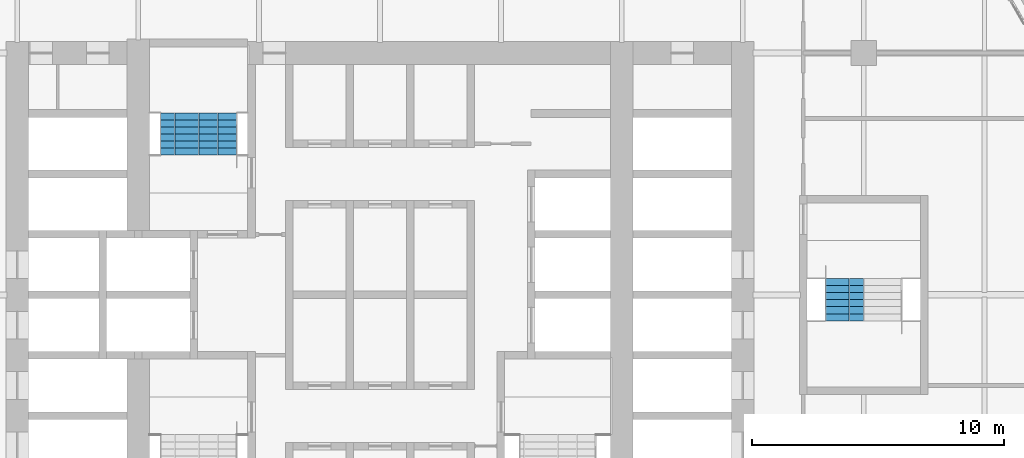
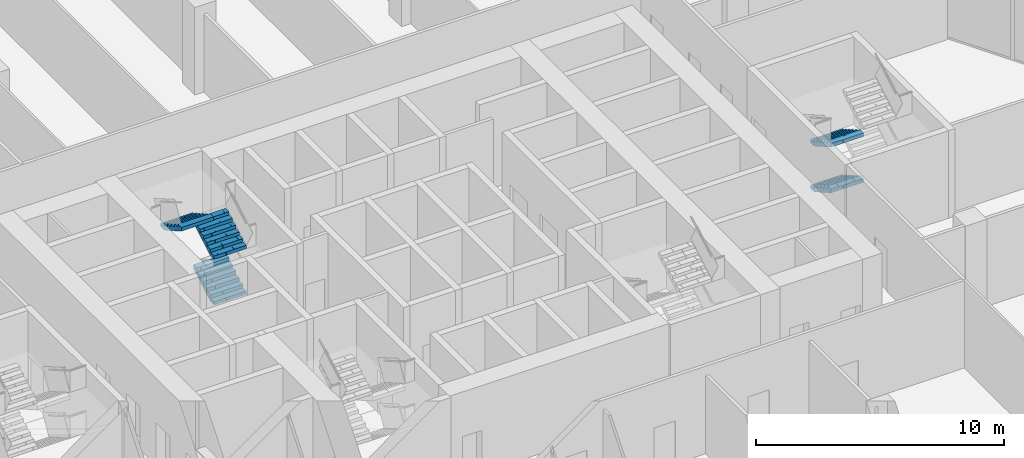
# One storey, part 23 of 27: 5 stair flights, 2 elements without a shape of their own.
"""IFC4 building model written with IfcOpenShell, lengths in metres."""

from ifc_helpers import new_model, si_unit, direction, frame, origin, place, context, subcontext, project, spatial, polyline, outline, extrude, material, type_object, element, aggregate, save


model = new_model("IFC4")

# Units and contexts
model_context = context("Model", 3, precision=1e-05, world=origin(), true_north=direction((0.0, 1.0)))
body_context = subcontext(model_context, "Body", "Model", "MODEL_VIEW")
ifc_project = project(units=[si_unit("LENGTHUNIT", "METRE"), si_unit("AREAUNIT", "SQUARE_METRE"), si_unit("VOLUMEUNIT", "CUBIC_METRE"), si_unit("PLANEANGLEUNIT", "RADIAN"), si_unit("MASSUNIT", "GRAM", prefix="KILO")], contexts=[model_context])

# Site, building, storey
site_placement = place(None, origin())
site = spatial("IfcSite", under=ifc_project, at=site_placement, CompositionType="ELEMENT")
building_placement = place(site_placement, origin())
building = spatial("IfcBuilding", under=site, at=building_placement, Name="Kolab Exchange Tower", CompositionType="ELEMENT")
storey_placement = place(building_placement, frame((0.0, 0.0, 109.39990234375)))
storey = spatial("IfcBuildingStorey", under=building, at=storey_placement, Name="L21", CompositionType="ELEMENT", Elevation=109.39990234375)

# Stair, stair flights
ifc_material = material(Name="Concrete C50/60", Category="concrete")
stair_type_1 = type_object("IfcStairType", Name="STAIR ST1 RISER 160.7", PredefinedType="DOUBLE_RETURN_STAIR", material=ifc_material)
stair_1_placement = place(storey_placement, origin())
stair_1 = element("IfcStair", 1, at=stair_1_placement, inside=storey, type_object=stair_type_1, Name="Stair 1", PredefinedType="DOUBLE_RETURN_STAIR")
stair_flight_type = type_object("IfcStairFlightType", Name="STAIR FLIGHT 1500 RISER 160.7", PredefinedType="STRAIGHT", material=ifc_material)
stair_flight_1_placement = place(storey_placement, frame((-6.43994140625, 5.550048828125, 0.0), z_axis=(0.0, 0.0, 1.0), x_axis=(0.0, 1.0, 0.0)))
stair_flight_1 = element("IfcStairFlight", 2, at=stair_flight_1_placement, type_object=stair_flight_type, Name="ST1 flight 1", NumberOfRisers=7, NumberOfTreads=6, PredefinedType="STRAIGHT", RiserHeight=0.160714286, TreadLength=0.28, context=body_context, shape_type="SweptSolid", body=[
    extrude(outline(polyline([(0.0, 0.0), (0.0, 0.16064453125), (0.280029296875, 0.16064453125), (0.280029296875, 0.321533203125), (0.56005859375, 0.321533203125), (0.56005859375, 0.482177734375), (0.840087890625, 0.482177734375), (0.840087890625, 0.642822265625), (1.1201171875, 0.642822265625), (1.1201171875, 0.803466796875), (1.39990234375, 0.803466796875), (1.39990234375, 0.96435546875), (1.679931640625, 0.96435546875), (1.679931640625, 1.125), (1.679931640625, 0.79150390625), (0.301025390625, 0.0), (0.0, 0.0)])), frame((0.0, 0.75, 0.0), z_axis=(0.0, -1.0, 0.0), x_axis=(1.0, 0.0, 0.0)), (0.0, 0.0, 1.0), 0.185791015625),
    extrude(outline(polyline([(0.0, 0.0), (0.0, 0.16064453125), (0.280029296875, 0.16064453125), (0.280029296875, 0.321533203125), (0.56005859375, 0.321533203125), (0.56005859375, 0.482177734375), (0.840087890625, 0.482177734375), (0.840087890625, 0.642822265625), (1.1201171875, 0.642822265625), (1.1201171875, 0.803466796875), (1.39990234375, 0.803466796875), (1.39990234375, 0.96435546875), (1.679931640625, 0.96435546875), (1.679931640625, 1.125), (1.679931640625, 0.79150390625), (0.301025390625, 0.0), (0.0, 0.0)])), frame((0.0, 0.562255859375, 0.0), z_axis=(0.0, -1.0, 0.0), x_axis=(1.0, 0.0, 0.0)), (0.0, 0.0, 1.0), 0.185791015625),
    extrude(outline(polyline([(0.0, 0.0), (0.0, 0.16064453125), (0.280029296875, 0.16064453125), (0.280029296875, 0.321533203125), (0.56005859375, 0.321533203125), (0.56005859375, 0.482177734375), (0.840087890625, 0.482177734375), (0.840087890625, 0.642822265625), (1.1201171875, 0.642822265625), (1.1201171875, 0.803466796875), (1.39990234375, 0.803466796875), (1.39990234375, 0.96435546875), (1.679931640625, 0.96435546875), (1.679931640625, 1.125), (1.679931640625, 0.79150390625), (0.301025390625, 0.0), (0.0, 0.0)])), frame((0.0, 0.37451171875, 0.0), z_axis=(0.0, -1.0, 0.0), x_axis=(1.0, 0.0, 0.0)), (0.0, 0.0, 1.0), 0.185791015625),
    extrude(outline(polyline([(0.0, 0.0), (0.0, 0.16064453125), (0.280029296875, 0.16064453125), (0.280029296875, 0.321533203125), (0.56005859375, 0.321533203125), (0.56005859375, 0.482177734375), (0.840087890625, 0.482177734375), (0.840087890625, 0.642822265625), (1.1201171875, 0.642822265625), (1.1201171875, 0.803466796875), (1.39990234375, 0.803466796875), (1.39990234375, 0.96435546875), (1.679931640625, 0.96435546875), (1.679931640625, 1.125), (1.679931640625, 0.79150390625), (0.301025390625, 0.0), (0.0, 0.0)])), frame((0.0, 0.186767578125, 0.0), z_axis=(0.0, -1.0, 0.0), x_axis=(1.0, 0.0, 0.0)), (0.0, 0.0, 1.0), 0.185791015625),
    extrude(outline(polyline([(0.0, 0.0), (0.0, 0.16064453125), (0.280029296875, 0.16064453125), (0.280029296875, 0.321533203125), (0.56005859375, 0.321533203125), (0.56005859375, 0.482177734375), (0.840087890625, 0.482177734375), (0.840087890625, 0.642822265625), (1.1201171875, 0.642822265625), (1.1201171875, 0.803466796875), (1.39990234375, 0.803466796875), (1.39990234375, 0.96435546875), (1.679931640625, 0.96435546875), (1.679931640625, 1.125), (1.679931640625, 0.79150390625), (0.301025390625, 0.0), (0.0, 0.0)])), frame((0.0, -0.0009765625, 0.0), z_axis=(0.0, -1.0, 0.0), x_axis=(1.0, 0.0, 0.0)), (0.0, 0.0, 1.0), 0.185791015625),
    extrude(outline(polyline([(0.0, 0.0), (0.0, 0.16064453125), (0.280029296875, 0.16064453125), (0.280029296875, 0.321533203125), (0.56005859375, 0.321533203125), (0.56005859375, 0.482177734375), (0.840087890625, 0.482177734375), (0.840087890625, 0.642822265625), (1.1201171875, 0.642822265625), (1.1201171875, 0.803466796875), (1.39990234375, 0.803466796875), (1.39990234375, 0.96435546875), (1.679931640625, 0.96435546875), (1.679931640625, 1.125), (1.679931640625, 0.79150390625), (0.301025390625, 0.0), (0.0, 0.0)])), frame((0.0, -0.188720703125, 0.0), z_axis=(0.0, -1.0, 0.0), x_axis=(1.0, 0.0, 0.0)), (0.0, 0.0, 1.0), 0.185791015625),
    extrude(outline(polyline([(0.0, 0.0), (0.0, 0.16064453125), (0.280029296875, 0.16064453125), (0.280029296875, 0.321533203125), (0.56005859375, 0.321533203125), (0.56005859375, 0.482177734375), (0.840087890625, 0.482177734375), (0.840087890625, 0.642822265625), (1.1201171875, 0.642822265625), (1.1201171875, 0.803466796875), (1.39990234375, 0.803466796875), (1.39990234375, 0.96435546875), (1.679931640625, 0.96435546875), (1.679931640625, 1.125), (1.679931640625, 0.79150390625), (0.301025390625, 0.0), (0.0, 0.0)])), frame((0.0, -0.37646484375, 0.0), z_axis=(0.0, -1.0, 0.0), x_axis=(1.0, 0.0, 0.0)), (0.0, 0.0, 1.0), 0.185791015625),
    extrude(outline(polyline([(0.0, 0.0), (0.0, 0.16064453125), (0.280029296875, 0.16064453125), (0.280029296875, 0.321533203125), (0.56005859375, 0.321533203125), (0.56005859375, 0.482177734375), (0.840087890625, 0.482177734375), (0.840087890625, 0.642822265625), (1.1201171875, 0.642822265625), (1.1201171875, 0.803466796875), (1.39990234375, 0.803466796875), (1.39990234375, 0.96435546875), (1.679931640625, 0.96435546875), (1.679931640625, 1.125), (1.679931640625, 0.79150390625), (0.301025390625, 0.0), (0.0, 0.0)])), frame((0.0, -0.564208984375, 0.0), z_axis=(0.0, -1.0, 0.0), x_axis=(1.0, 0.0, 0.0)), (0.0, 0.0, 1.0), 0.185791015625),
])
stair_flight_2_placement = place(storey_placement, frame((-6.43994140625, 5.550048828125, 2.25), z_axis=(0.0, 0.0, 1.0), x_axis=(0.0, 1.0, 0.0)))
stair_flight_2 = element("IfcStairFlight", 3, at=stair_flight_2_placement, type_object=stair_flight_type, Name="ST1 flight 3", NumberOfRisers=7, NumberOfTreads=6, PredefinedType="STRAIGHT", RiserHeight=0.160714286, TreadLength=0.28, context=body_context, shape_type="SweptSolid", body=[
    extrude(outline(polyline([(0.0, 0.0), (0.0, 0.16064453125), (0.280029296875, 0.16064453125), (0.280029296875, 0.321533203125), (0.56005859375, 0.321533203125), (0.56005859375, 0.482177734375), (0.840087890625, 0.482177734375), (0.840087890625, 0.642822265625), (1.1201171875, 0.642822265625), (1.1201171875, 0.803466796875), (1.39990234375, 0.803466796875), (1.39990234375, 0.96435546875), (1.679931640625, 0.96435546875), (1.679931640625, 1.125), (1.679931640625, 0.79150390625), (0.301025390625, 0.0), (0.0, 0.0)])), frame((0.0, 0.75, 0.0), z_axis=(0.0, -1.0, 0.0), x_axis=(1.0, 0.0, 0.0)), (0.0, 0.0, 1.0), 0.185791015625),
    extrude(outline(polyline([(0.0, 0.0), (0.0, 0.16064453125), (0.280029296875, 0.16064453125), (0.280029296875, 0.321533203125), (0.56005859375, 0.321533203125), (0.56005859375, 0.482177734375), (0.840087890625, 0.482177734375), (0.840087890625, 0.642822265625), (1.1201171875, 0.642822265625), (1.1201171875, 0.803466796875), (1.39990234375, 0.803466796875), (1.39990234375, 0.96435546875), (1.679931640625, 0.96435546875), (1.679931640625, 1.125), (1.679931640625, 0.79150390625), (0.301025390625, 0.0), (0.0, 0.0)])), frame((0.0, 0.562255859375, 0.0), z_axis=(0.0, -1.0, 0.0), x_axis=(1.0, 0.0, 0.0)), (0.0, 0.0, 1.0), 0.185791015625),
    extrude(outline(polyline([(0.0, 0.0), (0.0, 0.16064453125), (0.280029296875, 0.16064453125), (0.280029296875, 0.321533203125), (0.56005859375, 0.321533203125), (0.56005859375, 0.482177734375), (0.840087890625, 0.482177734375), (0.840087890625, 0.642822265625), (1.1201171875, 0.642822265625), (1.1201171875, 0.803466796875), (1.39990234375, 0.803466796875), (1.39990234375, 0.96435546875), (1.679931640625, 0.96435546875), (1.679931640625, 1.125), (1.679931640625, 0.79150390625), (0.301025390625, 0.0), (0.0, 0.0)])), frame((0.0, 0.37451171875, 0.0), z_axis=(0.0, -1.0, 0.0), x_axis=(1.0, 0.0, 0.0)), (0.0, 0.0, 1.0), 0.185791015625),
    extrude(outline(polyline([(0.0, 0.0), (0.0, 0.16064453125), (0.280029296875, 0.16064453125), (0.280029296875, 0.321533203125), (0.56005859375, 0.321533203125), (0.56005859375, 0.482177734375), (0.840087890625, 0.482177734375), (0.840087890625, 0.642822265625), (1.1201171875, 0.642822265625), (1.1201171875, 0.803466796875), (1.39990234375, 0.803466796875), (1.39990234375, 0.96435546875), (1.679931640625, 0.96435546875), (1.679931640625, 1.125), (1.679931640625, 0.79150390625), (0.301025390625, 0.0), (0.0, 0.0)])), frame((0.0, 0.186767578125, 0.0), z_axis=(0.0, -1.0, 0.0), x_axis=(1.0, 0.0, 0.0)), (0.0, 0.0, 1.0), 0.185791015625),
    extrude(outline(polyline([(0.0, 0.0), (0.0, 0.16064453125), (0.280029296875, 0.16064453125), (0.280029296875, 0.321533203125), (0.56005859375, 0.321533203125), (0.56005859375, 0.482177734375), (0.840087890625, 0.482177734375), (0.840087890625, 0.642822265625), (1.1201171875, 0.642822265625), (1.1201171875, 0.803466796875), (1.39990234375, 0.803466796875), (1.39990234375, 0.96435546875), (1.679931640625, 0.96435546875), (1.679931640625, 1.125), (1.679931640625, 0.79150390625), (0.301025390625, 0.0), (0.0, 0.0)])), frame((0.0, -0.0009765625, 0.0), z_axis=(0.0, -1.0, 0.0), x_axis=(1.0, 0.0, 0.0)), (0.0, 0.0, 1.0), 0.185791015625),
    extrude(outline(polyline([(0.0, 0.0), (0.0, 0.16064453125), (0.280029296875, 0.16064453125), (0.280029296875, 0.321533203125), (0.56005859375, 0.321533203125), (0.56005859375, 0.482177734375), (0.840087890625, 0.482177734375), (0.840087890625, 0.642822265625), (1.1201171875, 0.642822265625), (1.1201171875, 0.803466796875), (1.39990234375, 0.803466796875), (1.39990234375, 0.96435546875), (1.679931640625, 0.96435546875), (1.679931640625, 1.125), (1.679931640625, 0.79150390625), (0.301025390625, 0.0), (0.0, 0.0)])), frame((0.0, -0.188720703125, 0.0), z_axis=(0.0, -1.0, 0.0), x_axis=(1.0, 0.0, 0.0)), (0.0, 0.0, 1.0), 0.185791015625),
    extrude(outline(polyline([(0.0, 0.0), (0.0, 0.16064453125), (0.280029296875, 0.16064453125), (0.280029296875, 0.321533203125), (0.56005859375, 0.321533203125), (0.56005859375, 0.482177734375), (0.840087890625, 0.482177734375), (0.840087890625, 0.642822265625), (1.1201171875, 0.642822265625), (1.1201171875, 0.803466796875), (1.39990234375, 0.803466796875), (1.39990234375, 0.96435546875), (1.679931640625, 0.96435546875), (1.679931640625, 1.125), (1.679931640625, 0.79150390625), (0.301025390625, 0.0), (0.0, 0.0)])), frame((0.0, -0.37646484375, 0.0), z_axis=(0.0, -1.0, 0.0), x_axis=(1.0, 0.0, 0.0)), (0.0, 0.0, 1.0), 0.185791015625),
    extrude(outline(polyline([(0.0, 0.0), (0.0, 0.16064453125), (0.280029296875, 0.16064453125), (0.280029296875, 0.321533203125), (0.56005859375, 0.321533203125), (0.56005859375, 0.482177734375), (0.840087890625, 0.482177734375), (0.840087890625, 0.642822265625), (1.1201171875, 0.642822265625), (1.1201171875, 0.803466796875), (1.39990234375, 0.803466796875), (1.39990234375, 0.96435546875), (1.679931640625, 0.96435546875), (1.679931640625, 1.125), (1.679931640625, 0.79150390625), (0.301025390625, 0.0), (0.0, 0.0)])), frame((0.0, -0.564208984375, 0.0), z_axis=(0.0, -1.0, 0.0), x_axis=(1.0, 0.0, 0.0)), (0.0, 0.0, 1.0), 0.185791015625),
])
stair_flight_3_placement = place(storey_placement, frame((-7.9599609375, 7.22998046875, 3.375), z_axis=(0.0, 0.0, 1.0), x_axis=(0.0, -1.0, 0.0)))
stair_flight_3 = element("IfcStairFlight", 4, at=stair_flight_3_placement, type_object=stair_flight_type, Name="ST1 flight 4", NumberOfRisers=7, NumberOfTreads=6, PredefinedType="STRAIGHT", RiserHeight=0.160714286, TreadLength=0.28, context=body_context, shape_type="SweptSolid", body=[
    extrude(outline(polyline([(0.0, 0.0), (0.0, 0.16064453125), (0.280029296875, 0.16064453125), (0.280029296875, 0.321533203125), (0.56005859375, 0.321533203125), (0.56005859375, 0.482177734375), (0.840087890625, 0.482177734375), (0.840087890625, 0.642822265625), (1.1201171875, 0.642822265625), (1.1201171875, 0.803466796875), (1.39990234375, 0.803466796875), (1.39990234375, 0.96435546875), (1.679931640625, 0.96435546875), (1.679931640625, 1.125), (1.679931640625, 0.79150390625), (0.301025390625, 0.0), (0.0, 0.0)])), frame((0.0, 0.75, 0.0), z_axis=(0.0, -1.0, 0.0), x_axis=(1.0, 0.0, 0.0)), (0.0, 0.0, 1.0), 0.185791015625),
    extrude(outline(polyline([(0.0, 0.0), (0.0, 0.16064453125), (0.280029296875, 0.16064453125), (0.280029296875, 0.321533203125), (0.56005859375, 0.321533203125), (0.56005859375, 0.482177734375), (0.840087890625, 0.482177734375), (0.840087890625, 0.642822265625), (1.1201171875, 0.642822265625), (1.1201171875, 0.803466796875), (1.39990234375, 0.803466796875), (1.39990234375, 0.96435546875), (1.679931640625, 0.96435546875), (1.679931640625, 1.125), (1.679931640625, 0.79150390625), (0.301025390625, 0.0), (0.0, 0.0)])), frame((0.0, 0.562255859375, 0.0), z_axis=(0.0, -1.0, 0.0), x_axis=(1.0, 0.0, 0.0)), (0.0, 0.0, 1.0), 0.185791015625),
    extrude(outline(polyline([(0.0, 0.0), (0.0, 0.16064453125), (0.280029296875, 0.16064453125), (0.280029296875, 0.321533203125), (0.56005859375, 0.321533203125), (0.56005859375, 0.482177734375), (0.840087890625, 0.482177734375), (0.840087890625, 0.642822265625), (1.1201171875, 0.642822265625), (1.1201171875, 0.803466796875), (1.39990234375, 0.803466796875), (1.39990234375, 0.96435546875), (1.679931640625, 0.96435546875), (1.679931640625, 1.125), (1.679931640625, 0.79150390625), (0.301025390625, 0.0), (0.0, 0.0)])), frame((0.0, 0.37451171875, 0.0), z_axis=(0.0, -1.0, 0.0), x_axis=(1.0, 0.0, 0.0)), (0.0, 0.0, 1.0), 0.185791015625),
    extrude(outline(polyline([(0.0, 0.0), (0.0, 0.16064453125), (0.280029296875, 0.16064453125), (0.280029296875, 0.321533203125), (0.56005859375, 0.321533203125), (0.56005859375, 0.482177734375), (0.840087890625, 0.482177734375), (0.840087890625, 0.642822265625), (1.1201171875, 0.642822265625), (1.1201171875, 0.803466796875), (1.39990234375, 0.803466796875), (1.39990234375, 0.96435546875), (1.679931640625, 0.96435546875), (1.679931640625, 1.125), (1.679931640625, 0.79150390625), (0.301025390625, 0.0), (0.0, 0.0)])), frame((0.0, 0.186767578125, 0.0), z_axis=(0.0, -1.0, 0.0), x_axis=(1.0, 0.0, 0.0)), (0.0, 0.0, 1.0), 0.185791015625),
    extrude(outline(polyline([(0.0, 0.0), (0.0, 0.16064453125), (0.280029296875, 0.16064453125), (0.280029296875, 0.321533203125), (0.56005859375, 0.321533203125), (0.56005859375, 0.482177734375), (0.840087890625, 0.482177734375), (0.840087890625, 0.642822265625), (1.1201171875, 0.642822265625), (1.1201171875, 0.803466796875), (1.39990234375, 0.803466796875), (1.39990234375, 0.96435546875), (1.679931640625, 0.96435546875), (1.679931640625, 1.125), (1.679931640625, 0.79150390625), (0.301025390625, 0.0), (0.0, 0.0)])), frame((0.0, -0.0009765625, 0.0), z_axis=(0.0, -1.0, 0.0), x_axis=(1.0, 0.0, 0.0)), (0.0, 0.0, 1.0), 0.185791015625),
    extrude(outline(polyline([(0.0, 0.0), (0.0, 0.16064453125), (0.280029296875, 0.16064453125), (0.280029296875, 0.321533203125), (0.56005859375, 0.321533203125), (0.56005859375, 0.482177734375), (0.840087890625, 0.482177734375), (0.840087890625, 0.642822265625), (1.1201171875, 0.642822265625), (1.1201171875, 0.803466796875), (1.39990234375, 0.803466796875), (1.39990234375, 0.96435546875), (1.679931640625, 0.96435546875), (1.679931640625, 1.125), (1.679931640625, 0.79150390625), (0.301025390625, 0.0), (0.0, 0.0)])), frame((0.0, -0.188720703125, 0.0), z_axis=(0.0, -1.0, 0.0), x_axis=(1.0, 0.0, 0.0)), (0.0, 0.0, 1.0), 0.185791015625),
    extrude(outline(polyline([(0.0, 0.0), (0.0, 0.16064453125), (0.280029296875, 0.16064453125), (0.280029296875, 0.321533203125), (0.56005859375, 0.321533203125), (0.56005859375, 0.482177734375), (0.840087890625, 0.482177734375), (0.840087890625, 0.642822265625), (1.1201171875, 0.642822265625), (1.1201171875, 0.803466796875), (1.39990234375, 0.803466796875), (1.39990234375, 0.96435546875), (1.679931640625, 0.96435546875), (1.679931640625, 1.125), (1.679931640625, 0.79150390625), (0.301025390625, 0.0), (0.0, 0.0)])), frame((0.0, -0.37646484375, 0.0), z_axis=(0.0, -1.0, 0.0), x_axis=(1.0, 0.0, 0.0)), (0.0, 0.0, 1.0), 0.185791015625),
    extrude(outline(polyline([(0.0, 0.0), (0.0, 0.16064453125), (0.280029296875, 0.16064453125), (0.280029296875, 0.321533203125), (0.56005859375, 0.321533203125), (0.56005859375, 0.482177734375), (0.840087890625, 0.482177734375), (0.840087890625, 0.642822265625), (1.1201171875, 0.642822265625), (1.1201171875, 0.803466796875), (1.39990234375, 0.803466796875), (1.39990234375, 0.96435546875), (1.679931640625, 0.96435546875), (1.679931640625, 1.125), (1.679931640625, 0.79150390625), (0.301025390625, 0.0), (0.0, 0.0)])), frame((0.0, -0.564208984375, 0.0), z_axis=(0.0, -1.0, 0.0), x_axis=(1.0, 0.0, 0.0)), (0.0, 0.0, 1.0), 0.185791015625),
])
aggregate(stair_1, [stair_flight_1, stair_flight_2, stair_flight_3])

stair_type_2 = type_object("IfcStairType", Name="STAIR ST4 RISER 160.7", PredefinedType="DOUBLE_RETURN_STAIR", material=ifc_material)
stair_2_placement = place(storey_placement, origin())
stair_2 = element("IfcStair", 5, at=stair_2_placement, inside=storey, type_object=stair_type_2, Name="Stair 4", PredefinedType="DOUBLE_RETURN_STAIR")
stair_flight_4_placement = place(storey_placement, frame((18.43994140625, 0.64990234375, 0.0), z_axis=(0.0, 0.0, 1.0), x_axis=(0.0, -1.0, 0.0)))
stair_flight_4 = element("IfcStairFlight", 6, at=stair_flight_4_placement, type_object=stair_flight_type, Name="ST4 flight 1", NumberOfRisers=7, NumberOfTreads=6, PredefinedType="STRAIGHT", RiserHeight=0.160714286, TreadLength=0.28, context=body_context, shape_type="SweptSolid", body=[
    extrude(outline(polyline([(0.0, 0.0), (0.0, 0.16064453125), (0.280029296875, 0.16064453125), (0.280029296875, 0.321533203125), (0.56005859375, 0.321533203125), (0.56005859375, 0.482177734375), (0.840087890625, 0.482177734375), (0.840087890625, 0.642822265625), (1.1201171875, 0.642822265625), (1.1201171875, 0.803466796875), (1.39990234375, 0.803466796875), (1.39990234375, 0.96435546875), (1.679931640625, 0.96435546875), (1.679931640625, 1.125), (1.679931640625, 0.79150390625), (0.301025390625, 0.0), (0.0, 0.0)])), frame((0.0, 0.75, 0.0), z_axis=(0.0, -1.0, 0.0), x_axis=(1.0, 0.0, 0.0)), (0.0, 0.0, 1.0), 0.185791015625),
    extrude(outline(polyline([(0.0, 0.0), (0.0, 0.16064453125), (0.280029296875, 0.16064453125), (0.280029296875, 0.321533203125), (0.56005859375, 0.321533203125), (0.56005859375, 0.482177734375), (0.840087890625, 0.482177734375), (0.840087890625, 0.642822265625), (1.1201171875, 0.642822265625), (1.1201171875, 0.803466796875), (1.39990234375, 0.803466796875), (1.39990234375, 0.96435546875), (1.679931640625, 0.96435546875), (1.679931640625, 1.125), (1.679931640625, 0.79150390625), (0.301025390625, 0.0), (0.0, 0.0)])), frame((0.0, 0.562255859375, 0.0), z_axis=(0.0, -1.0, 0.0), x_axis=(1.0, 0.0, 0.0)), (0.0, 0.0, 1.0), 0.185791015625),
    extrude(outline(polyline([(0.0, 0.0), (0.0, 0.16064453125), (0.280029296875, 0.16064453125), (0.280029296875, 0.321533203125), (0.56005859375, 0.321533203125), (0.56005859375, 0.482177734375), (0.840087890625, 0.482177734375), (0.840087890625, 0.642822265625), (1.1201171875, 0.642822265625), (1.1201171875, 0.803466796875), (1.39990234375, 0.803466796875), (1.39990234375, 0.96435546875), (1.679931640625, 0.96435546875), (1.679931640625, 1.125), (1.679931640625, 0.79150390625), (0.301025390625, 0.0), (0.0, 0.0)])), frame((0.0, 0.37451171875, 0.0), z_axis=(0.0, -1.0, 0.0), x_axis=(1.0, 0.0, 0.0)), (0.0, 0.0, 1.0), 0.185791015625),
    extrude(outline(polyline([(0.0, 0.0), (0.0, 0.16064453125), (0.280029296875, 0.16064453125), (0.280029296875, 0.321533203125), (0.56005859375, 0.321533203125), (0.56005859375, 0.482177734375), (0.840087890625, 0.482177734375), (0.840087890625, 0.642822265625), (1.1201171875, 0.642822265625), (1.1201171875, 0.803466796875), (1.39990234375, 0.803466796875), (1.39990234375, 0.96435546875), (1.679931640625, 0.96435546875), (1.679931640625, 1.125), (1.679931640625, 0.79150390625), (0.301025390625, 0.0), (0.0, 0.0)])), frame((0.0, 0.186767578125, 0.0), z_axis=(0.0, -1.0, 0.0), x_axis=(1.0, 0.0, 0.0)), (0.0, 0.0, 1.0), 0.185791015625),
    extrude(outline(polyline([(0.0, 0.0), (0.0, 0.16064453125), (0.280029296875, 0.16064453125), (0.280029296875, 0.321533203125), (0.56005859375, 0.321533203125), (0.56005859375, 0.482177734375), (0.840087890625, 0.482177734375), (0.840087890625, 0.642822265625), (1.1201171875, 0.642822265625), (1.1201171875, 0.803466796875), (1.39990234375, 0.803466796875), (1.39990234375, 0.96435546875), (1.679931640625, 0.96435546875), (1.679931640625, 1.125), (1.679931640625, 0.79150390625), (0.301025390625, 0.0), (0.0, 0.0)])), frame((0.0, -0.0009765625, 0.0), z_axis=(0.0, -1.0, 0.0), x_axis=(1.0, 0.0, 0.0)), (0.0, 0.0, 1.0), 0.185791015625),
    extrude(outline(polyline([(0.0, 0.0), (0.0, 0.16064453125), (0.280029296875, 0.16064453125), (0.280029296875, 0.321533203125), (0.56005859375, 0.321533203125), (0.56005859375, 0.482177734375), (0.840087890625, 0.482177734375), (0.840087890625, 0.642822265625), (1.1201171875, 0.642822265625), (1.1201171875, 0.803466796875), (1.39990234375, 0.803466796875), (1.39990234375, 0.96435546875), (1.679931640625, 0.96435546875), (1.679931640625, 1.125), (1.679931640625, 0.79150390625), (0.301025390625, 0.0), (0.0, 0.0)])), frame((0.0, -0.188720703125, 0.0), z_axis=(0.0, -1.0, 0.0), x_axis=(1.0, 0.0, 0.0)), (0.0, 0.0, 1.0), 0.185791015625),
    extrude(outline(polyline([(0.0, 0.0), (0.0, 0.16064453125), (0.280029296875, 0.16064453125), (0.280029296875, 0.321533203125), (0.56005859375, 0.321533203125), (0.56005859375, 0.482177734375), (0.840087890625, 0.482177734375), (0.840087890625, 0.642822265625), (1.1201171875, 0.642822265625), (1.1201171875, 0.803466796875), (1.39990234375, 0.803466796875), (1.39990234375, 0.96435546875), (1.679931640625, 0.96435546875), (1.679931640625, 1.125), (1.679931640625, 0.79150390625), (0.301025390625, 0.0), (0.0, 0.0)])), frame((0.0, -0.37646484375, 0.0), z_axis=(0.0, -1.0, 0.0), x_axis=(1.0, 0.0, 0.0)), (0.0, 0.0, 1.0), 0.185791015625),
    extrude(outline(polyline([(0.0, 0.0), (0.0, 0.16064453125), (0.280029296875, 0.16064453125), (0.280029296875, 0.321533203125), (0.56005859375, 0.321533203125), (0.56005859375, 0.482177734375), (0.840087890625, 0.482177734375), (0.840087890625, 0.642822265625), (1.1201171875, 0.642822265625), (1.1201171875, 0.803466796875), (1.39990234375, 0.803466796875), (1.39990234375, 0.96435546875), (1.679931640625, 0.96435546875), (1.679931640625, 1.125), (1.679931640625, 0.79150390625), (0.301025390625, 0.0), (0.0, 0.0)])), frame((0.0, -0.564208984375, 0.0), z_axis=(0.0, -1.0, 0.0), x_axis=(1.0, 0.0, 0.0)), (0.0, 0.0, 1.0), 0.185791015625),
])
stair_flight_5_placement = place(storey_placement, frame((18.43994140625, 0.64990234375, 2.25), z_axis=(0.0, 0.0, 1.0), x_axis=(0.0, -1.0, 0.0)))
stair_flight_5 = element("IfcStairFlight", 7, at=stair_flight_5_placement, type_object=stair_flight_type, Name="ST4 flight 3", NumberOfRisers=7, NumberOfTreads=6, PredefinedType="STRAIGHT", RiserHeight=0.160714286, TreadLength=0.28, context=body_context, shape_type="SweptSolid", body=[
    extrude(outline(polyline([(0.0, 0.0), (0.0, 0.16064453125), (0.280029296875, 0.16064453125), (0.280029296875, 0.321533203125), (0.56005859375, 0.321533203125), (0.56005859375, 0.482177734375), (0.840087890625, 0.482177734375), (0.840087890625, 0.642822265625), (1.1201171875, 0.642822265625), (1.1201171875, 0.803466796875), (1.39990234375, 0.803466796875), (1.39990234375, 0.96435546875), (1.679931640625, 0.96435546875), (1.679931640625, 1.125), (1.679931640625, 0.79150390625), (0.301025390625, 0.0), (0.0, 0.0)])), frame((0.0, 0.75, 0.0), z_axis=(0.0, -1.0, 0.0), x_axis=(1.0, 0.0, 0.0)), (0.0, 0.0, 1.0), 0.185791015625),
    extrude(outline(polyline([(0.0, 0.0), (0.0, 0.16064453125), (0.280029296875, 0.16064453125), (0.280029296875, 0.321533203125), (0.56005859375, 0.321533203125), (0.56005859375, 0.482177734375), (0.840087890625, 0.482177734375), (0.840087890625, 0.642822265625), (1.1201171875, 0.642822265625), (1.1201171875, 0.803466796875), (1.39990234375, 0.803466796875), (1.39990234375, 0.96435546875), (1.679931640625, 0.96435546875), (1.679931640625, 1.125), (1.679931640625, 0.79150390625), (0.301025390625, 0.0), (0.0, 0.0)])), frame((0.0, 0.562255859375, 0.0), z_axis=(0.0, -1.0, 0.0), x_axis=(1.0, 0.0, 0.0)), (0.0, 0.0, 1.0), 0.185791015625),
    extrude(outline(polyline([(0.0, 0.0), (0.0, 0.16064453125), (0.280029296875, 0.16064453125), (0.280029296875, 0.321533203125), (0.56005859375, 0.321533203125), (0.56005859375, 0.482177734375), (0.840087890625, 0.482177734375), (0.840087890625, 0.642822265625), (1.1201171875, 0.642822265625), (1.1201171875, 0.803466796875), (1.39990234375, 0.803466796875), (1.39990234375, 0.96435546875), (1.679931640625, 0.96435546875), (1.679931640625, 1.125), (1.679931640625, 0.79150390625), (0.301025390625, 0.0), (0.0, 0.0)])), frame((0.0, 0.37451171875, 0.0), z_axis=(0.0, -1.0, 0.0), x_axis=(1.0, 0.0, 0.0)), (0.0, 0.0, 1.0), 0.185791015625),
    extrude(outline(polyline([(0.0, 0.0), (0.0, 0.16064453125), (0.280029296875, 0.16064453125), (0.280029296875, 0.321533203125), (0.56005859375, 0.321533203125), (0.56005859375, 0.482177734375), (0.840087890625, 0.482177734375), (0.840087890625, 0.642822265625), (1.1201171875, 0.642822265625), (1.1201171875, 0.803466796875), (1.39990234375, 0.803466796875), (1.39990234375, 0.96435546875), (1.679931640625, 0.96435546875), (1.679931640625, 1.125), (1.679931640625, 0.79150390625), (0.301025390625, 0.0), (0.0, 0.0)])), frame((0.0, 0.186767578125, 0.0), z_axis=(0.0, -1.0, 0.0), x_axis=(1.0, 0.0, 0.0)), (0.0, 0.0, 1.0), 0.185791015625),
    extrude(outline(polyline([(0.0, 0.0), (0.0, 0.16064453125), (0.280029296875, 0.16064453125), (0.280029296875, 0.321533203125), (0.56005859375, 0.321533203125), (0.56005859375, 0.482177734375), (0.840087890625, 0.482177734375), (0.840087890625, 0.642822265625), (1.1201171875, 0.642822265625), (1.1201171875, 0.803466796875), (1.39990234375, 0.803466796875), (1.39990234375, 0.96435546875), (1.679931640625, 0.96435546875), (1.679931640625, 1.125), (1.679931640625, 0.79150390625), (0.301025390625, 0.0), (0.0, 0.0)])), frame((0.0, -0.0009765625, 0.0), z_axis=(0.0, -1.0, 0.0), x_axis=(1.0, 0.0, 0.0)), (0.0, 0.0, 1.0), 0.185791015625),
    extrude(outline(polyline([(0.0, 0.0), (0.0, 0.16064453125), (0.280029296875, 0.16064453125), (0.280029296875, 0.321533203125), (0.56005859375, 0.321533203125), (0.56005859375, 0.482177734375), (0.840087890625, 0.482177734375), (0.840087890625, 0.642822265625), (1.1201171875, 0.642822265625), (1.1201171875, 0.803466796875), (1.39990234375, 0.803466796875), (1.39990234375, 0.96435546875), (1.679931640625, 0.96435546875), (1.679931640625, 1.125), (1.679931640625, 0.79150390625), (0.301025390625, 0.0), (0.0, 0.0)])), frame((0.0, -0.188720703125, 0.0), z_axis=(0.0, -1.0, 0.0), x_axis=(1.0, 0.0, 0.0)), (0.0, 0.0, 1.0), 0.185791015625),
    extrude(outline(polyline([(0.0, 0.0), (0.0, 0.16064453125), (0.280029296875, 0.16064453125), (0.280029296875, 0.321533203125), (0.56005859375, 0.321533203125), (0.56005859375, 0.482177734375), (0.840087890625, 0.482177734375), (0.840087890625, 0.642822265625), (1.1201171875, 0.642822265625), (1.1201171875, 0.803466796875), (1.39990234375, 0.803466796875), (1.39990234375, 0.96435546875), (1.679931640625, 0.96435546875), (1.679931640625, 1.125), (1.679931640625, 0.79150390625), (0.301025390625, 0.0), (0.0, 0.0)])), frame((0.0, -0.37646484375, 0.0), z_axis=(0.0, -1.0, 0.0), x_axis=(1.0, 0.0, 0.0)), (0.0, 0.0, 1.0), 0.185791015625),
    extrude(outline(polyline([(0.0, 0.0), (0.0, 0.16064453125), (0.280029296875, 0.16064453125), (0.280029296875, 0.321533203125), (0.56005859375, 0.321533203125), (0.56005859375, 0.482177734375), (0.840087890625, 0.482177734375), (0.840087890625, 0.642822265625), (1.1201171875, 0.642822265625), (1.1201171875, 0.803466796875), (1.39990234375, 0.803466796875), (1.39990234375, 0.96435546875), (1.679931640625, 0.96435546875), (1.679931640625, 1.125), (1.679931640625, 0.79150390625), (0.301025390625, 0.0), (0.0, 0.0)])), frame((0.0, -0.564208984375, 0.0), z_axis=(0.0, -1.0, 0.0), x_axis=(1.0, 0.0, 0.0)), (0.0, 0.0, 1.0), 0.185791015625),
])
aggregate(stair_2, [stair_flight_4, stair_flight_5])

save(model, "model.ifc")
